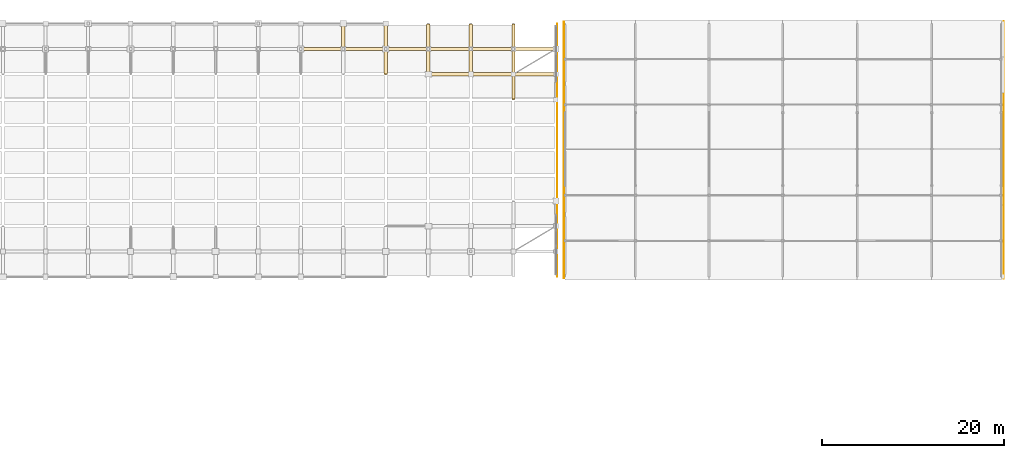
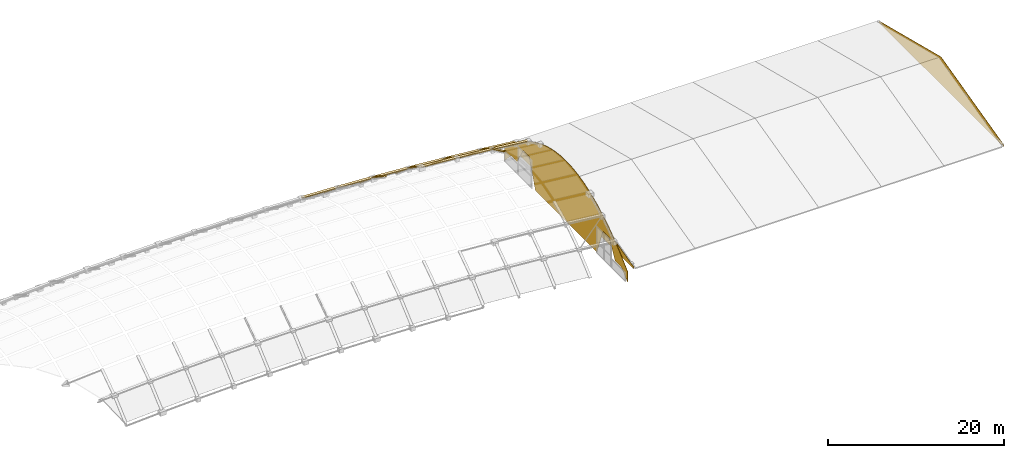
# One storey, part 65 of 65: 22 coverings.
"""IFC4 building model written with IfcOpenShell, lengths in metres."""

from ifc_helpers import new_model, si_unit, direction, frame, origin, place, context, subcontext, project, spatial, polyline, outline, extrude, material, layer, layer_set, type_object, element, save


model = new_model("IFC4")

# Units and contexts
model_context = context("Model", 3, precision=1e-05, world=origin(), true_north=direction((0.0, 1.0)))
body_context = subcontext(model_context, "Body", "Model", "MODEL_VIEW")
ifc_project = project(units=[si_unit("LENGTHUNIT", "METRE"), si_unit("AREAUNIT", "SQUARE_METRE"), si_unit("VOLUMEUNIT", "CUBIC_METRE"), si_unit("PLANEANGLEUNIT", "RADIAN"), si_unit("MASSUNIT", "GRAM", prefix="KILO")], contexts=[model_context])

# Site, building, storey
site_placement = place(None, origin())
site = spatial("IfcSite", under=ifc_project, at=site_placement, CompositionType="ELEMENT")
building_placement = place(site_placement, origin())
building = spatial("IfcBuilding", under=site, at=building_placement, Name="Quillay Park Conservatory", CompositionType="ELEMENT")
storey_placement = place(building_placement, frame((0.0, 0.0, 14.10009765625)))
storey = spatial("IfcBuildingStorey", under=building, at=storey_placement, Name="L03", CompositionType="ELEMENT", Elevation=14.10009765625)

# Coverings
ifc_material_1 = material(Name="Glass-Fibre Reinforced Concrete (GRC) Cladding", Category="concrete")
ifc_layer_1 = layer(ifc_material_1, 0.044921875)
ifc_layer_set_1 = layer_set([ifc_layer_1], Name="GRC SPANDREL CLADDING 45 (Glass-Fibre Reinforced Concrete (GRC) Cladding)")
covering_type_1 = type_object("IfcCoveringType", Name="GRC SPANDREL CLADDING 45", PredefinedType="CLADDING", material=ifc_layer_set_1)
covering_1_placement = place(storey_placement, frame((164.14990234375, 85.35009765625, -1.5), z_axis=(1.0, 0.0, 0.0), x_axis=(0.0, 1.0, 0.0)))
element("IfcCovering", 1, at=covering_1_placement, inside=storey, type_object=covering_type_1, Name="L03 Auditorium East Gable Cladding Fascia", PredefinedType="CLADDING", context=body_context, shape_type="SweptSolid", body=[
    extrude(outline(polyline([(0.0, 0.0), (28.2998046875, 0.0), (28.2998046875, 0.22998046875), (14.25, 3.77978515625), (0.0, 0.22998046875), (0.0, 0.0)])), origin(), (0.0, 0.0, -1.0), 0.044921875),
])
covering_2_placement = place(storey_placement, frame((114.97998046875, 85.550048828125, -1.714111328125), z_axis=(-1.0, 0.0, 0.0), x_axis=(0.0, 0.733796308665, 0.679369544056)))
element("IfcCovering", 2, at=covering_2_placement, inside=storey, type_object=covering_type_1, Name="L03 Conservatory East Arch Tympanum Spandrel Cladding", PredefinedType="CLADDING", context=body_context, shape_type="SweptSolid", body=[
    extrude(outline(polyline([(0.0, 0.0), (1.8974393410467205, 0.0), (3.704829064012981, 0.09762318394960379), (5.421990019409362, 0.29270369014371944), (7.046268419954397, 0.588107910413068), (8.580138903440133, 0.9808035912218367), (10.021305981563941, 1.4739888478109302), (11.37224429211787, 2.064631426644536), (12.630120898331032, 2.755431857848282), (13.797947886463735, 3.543855473001633), (14.872892319745091, 4.432602802230217), (15.857428835967148, 5.418641591998219), (16.749261946827275, 6.505169957546547), (17.550866290117526, 7.689155645339388), (18.262062716348478, 8.970432793671648), (18.880555737217502, 10.352199517784232), (19.40616620323518, 11.83428995597205), (19.84136875219356, 13.41367185469929), (20.186521683071476, 15.09067693737613), (20.43879205909805, 16.868005734128207), (20.598000730783852, 18.745492383250422), (19.426519507721245, 20.010825227024295), (19.4077957002481, 17.98159896036329), (18.385927012596085, 17.035523794520287), (18.996137503046306, 14.32661765278391), (17.97444796488371, 13.380708348645998), (14.317534368440008, 15.28078112121947), (13.295665680787993, 14.334705955376467), (12.273976142625397, 13.388796651238557), (11.252107454973382, 12.442721485395555), (10.230238767321367, 11.496646319552553), (9.208549229158772, 10.550737015414644), (8.186680541506757, 9.604661849571642), (7.164811853854742, 8.658586683728638), (6.143122315692146, 7.712677379590728), (5.121253628040131, 6.766602213747726), (4.099384940388116, 5.820527047904724), (5.580050946943854, 2.1717893968863873), (4.558182259291839, 1.2257142310433855), (1.8750427334414526, 2.074000351231692), (0.8531740457894378, 1.12792518538869), (-1.0096001988931194, 1.0904829420998976), (0.0, 0.0)])), origin(), (0.0, 0.0, -1.0), 0.044921875),
])
covering_3_placement = place(storey_placement, frame((115.719970703125, 85.39990234375, -1.5), z_axis=(-1.0, 0.0, 0.0), x_axis=(0.0, 0.0, 1.0)))
element("IfcCovering", 3, at=covering_3_placement, inside=storey, type_object=covering_type_1, Name="L03 Auditorium West Gable Cladding Fascia", PredefinedType="CLADDING", context=body_context, shape_type="SweptSolid", body=[
    extrude(outline(polyline([(0.0, 0.0), (0.219970703125, 0.0), (3.77978515625, 14.2001953125), (0.219970703125, 28.2001953125), (0.0, 28.2001953125), (0.0, 0.0)])), origin(), (0.0, 0.0, -1.0), 0.044921875),
])
ifc_material_2 = material(Name="Thermally Broken Anodised Aluminium 6063-T6", Category="aluminium")
ifc_layer_2 = layer(ifc_material_2, 0.090087890625)
ifc_layer_set_2 = layer_set([ifc_layer_2], Name="GRIDSHELL GLAZING CAP BAR 90 (Thermally Broken Anodised Aluminium 6063-T6)")
covering_type_2 = type_object("IfcCoveringType", Name="GRIDSHELL GLAZING CAP BAR 90", PredefinedType="CLADDING", material=ifc_layer_set_2)
covering_4_placement = place(storey_placement, frame((91.2861328125, 110.6650390625, 3.011962890625), z_axis=(0.0, 0.652582474845, 0.757717700417), x_axis=(1.0, 0.0, 0.0)))
element("IfcCovering", 4, at=covering_4_placement, inside=storey, type_object=covering_type_2, Name="Gridshell Transverse Glazing Cap Bar 13-09", PredefinedType="CLADDING", context=body_context, shape_type="SweptSolid", body=[
    extrude(outline(polyline([(0.0, 0.0), (0.349853515625, 0.0), (0.349853515625, 3.543613396220125), (0.0, 3.543613396220125), (0.0, 0.0)])), origin(), (0.0, 0.0, -1.0), 0.1201171875),
])
covering_5_placement = place(storey_placement, frame((95.9638671875, 107.8798828125, 4.621337890625), z_axis=(0.0, 0.556164150236, 0.83107246254), x_axis=(1.0, 0.0, 0.0)))
element("IfcCovering", 5, at=covering_5_placement, inside=storey, type_object=covering_type_2, Name="Gridshell Transverse Glazing Cap Bar 14-08", PredefinedType="CLADDING", context=body_context, shape_type="SweptSolid", body=[
    extrude(outline(polyline([(0.0, 0.0), (0.35009765625, 0.0), (0.35009765625, 3.230835715027263), (0.0, 3.230835715027263), (0.0, 0.0)])), origin(), (0.0, 0.0, -1.0), 0.1201171875),
])
covering_6_placement = place(storey_placement, frame((95.9638671875, 110.6650390625, 2.750244140625), z_axis=(0.0, 0.652582474845, 0.757717700417), x_axis=(1.0, 0.0, 0.0)))
element("IfcCovering", 6, at=covering_6_placement, inside=storey, type_object=covering_type_2, Name="Gridshell Transverse Glazing Cap Bar 14-09", PredefinedType="CLADDING", context=body_context, shape_type="SweptSolid", body=[
    extrude(outline(polyline([(0.0, 0.0), (0.35009765625, 0.0), (0.35009765625, 3.543613396220125), (0.0, 3.543613396220125), (0.0, 0.0)])), origin(), (0.0, 0.0, -1.0), 0.1201171875),
])
covering_7_placement = place(storey_placement, frame((100.6416015625, 107.8798828125, 4.301025390625), z_axis=(0.0, 0.556164150236, 0.83107246254), x_axis=(1.0, 0.0, 0.0)))
element("IfcCovering", 7, at=covering_7_placement, inside=storey, type_object=covering_type_2, Name="Gridshell Transverse Glazing Cap Bar 15-08", PredefinedType="CLADDING", context=body_context, shape_type="SweptSolid", body=[
    extrude(outline(polyline([(0.0, 0.0), (0.35009765625, 0.0), (0.35009765625, 3.230835715027263), (0.0, 3.230835715027263), (0.0, 0.0)])), origin(), (0.0, 0.0, -1.0), 0.1201171875),
])
covering_8_placement = place(storey_placement, frame((100.6416015625, 110.6650390625, 2.429931640625), z_axis=(0.0, 0.652582474845, 0.757717700417), x_axis=(1.0, 0.0, 0.0)))
element("IfcCovering", 8, at=covering_8_placement, inside=storey, type_object=covering_type_2, Name="Gridshell Transverse Glazing Cap Bar 15-09", PredefinedType="CLADDING", context=body_context, shape_type="SweptSolid", body=[
    extrude(outline(polyline([(0.0, 0.0), (0.35009765625, 0.0), (0.35009765625, 3.543613396220125), (0.0, 3.543613396220125), (0.0, 0.0)])), origin(), (0.0, 0.0, -1.0), 0.1201171875),
])
covering_9_placement = place(storey_placement, frame((105.3193359375, 107.8798828125, 3.922119140625), z_axis=(0.0, 0.556164150236, 0.83107246254), x_axis=(1.0, 0.0, 0.0)))
element("IfcCovering", 9, at=covering_9_placement, inside=storey, type_object=covering_type_2, Name="Gridshell Transverse Glazing Cap Bar 16-08", PredefinedType="CLADDING", context=body_context, shape_type="SweptSolid", body=[
    extrude(outline(polyline([(0.0, 0.0), (0.35009765625, 0.0), (0.35009765625, 3.230835715027263), (0.0, 3.230835715027263), (0.0, 0.0)])), origin(), (0.0, 0.0, -1.0), 0.1201171875),
])
covering_10_placement = place(storey_placement, frame((105.3193359375, 110.6650390625, 2.051025390625), z_axis=(0.0, 0.652582474845, 0.757717700417), x_axis=(1.0, 0.0, 0.0)))
element("IfcCovering", 10, at=covering_10_placement, inside=storey, type_object=covering_type_2, Name="Gridshell Transverse Glazing Cap Bar 16-09", PredefinedType="CLADDING", context=body_context, shape_type="SweptSolid", body=[
    extrude(outline(polyline([(0.0, 0.0), (0.35009765625, 0.0), (0.35009765625, 3.543613396220125), (0.0, 3.543613396220125), (0.0, 0.0)])), origin(), (0.0, 0.0, -1.0), 0.1201171875),
])
covering_11_placement = place(storey_placement, frame((109.997314453125, 105.094970703125, 4.816650390625), z_axis=(0.0, 0.429589332762, 0.903024365772), x_axis=(1.0, 0.0, 0.0)))
element("IfcCovering", 11, at=covering_11_placement, inside=storey, type_object=covering_type_2, Name="Gridshell Transverse Glazing Cap Bar 17-07", PredefinedType="CLADDING", context=body_context, shape_type="SweptSolid", body=[
    extrude(outline(polyline([(0.0, 0.0), (0.349853515625, 0.0), (0.349853515625, 2.973406582950739), (0.0, 2.973406582950739), (0.0, 0.0)])), origin(), (0.0, 0.0, -1.0), 0.1201171875),
])
covering_12_placement = place(storey_placement, frame((109.997314453125, 107.8798828125, 3.484619140625), z_axis=(0.0, 0.556164150236, 0.83107246254), x_axis=(1.0, 0.0, 0.0)))
element("IfcCovering", 12, at=covering_12_placement, inside=storey, type_object=covering_type_2, Name="Gridshell Transverse Glazing Cap Bar 17-08", PredefinedType="CLADDING", context=body_context, shape_type="SweptSolid", body=[
    extrude(outline(polyline([(0.0, 0.0), (0.349853515625, 0.0), (0.349853515625, 3.230835715027263), (0.0, 3.230835715027263), (0.0, 0.0)])), origin(), (0.0, 0.0, -1.0), 0.1201171875),
])
covering_13_placement = place(storey_placement, frame((109.997314453125, 110.6650390625, 1.613525390625), z_axis=(0.0, 0.652582474845, 0.757717700417), x_axis=(1.0, 0.0, 0.0)))
element("IfcCovering", 13, at=covering_13_placement, inside=storey, type_object=covering_type_2, Name="Gridshell Transverse Glazing Cap Bar 17-09", PredefinedType="CLADDING", context=body_context, shape_type="SweptSolid", body=[
    extrude(outline(polyline([(0.0, 0.0), (0.349853515625, 0.0), (0.349853515625, 3.543613396220125), (0.0, 3.543613396220125), (0.0, 0.0)])), origin(), (0.0, 0.0, -1.0), 0.1201171875),
])
covering_14_placement = place(storey_placement, frame((100.86669921875, 107.655029296875, 4.324462890625), z_axis=(0.080801595311, 0.0, 0.996730205319), x_axis=(0.996730205319, 0.0, -0.080801595311)))
element("IfcCovering", 14, at=covering_14_placement, inside=storey, type_object=covering_type_2, Name="Gridshell Longitudinal Glazing Cap Bar 15-08", PredefinedType="CLADDING", context=body_context, shape_type="SweptSolid", body=[
    extrude(outline(polyline([(0.0, 0.0), (4.592653753565289, 0.0), (4.592653753565289, 0.349853515625), (0.0, 0.349853515625), (0.0, 0.0)])), origin(), (0.0, 0.0, -1.0), 0.1201171875),
])
covering_15_placement = place(storey_placement, frame((105.54443359375, 107.655029296875, 3.945556640625), z_axis=(0.093450911608, 0.0, 0.995623888383), x_axis=(0.995623888383, 0.0, -0.093450911608)))
element("IfcCovering", 15, at=covering_15_placement, inside=storey, type_object=covering_type_2, Name="Gridshell Longitudinal Glazing Cap Bar 16-08", PredefinedType="CLADDING", context=body_context, shape_type="SweptSolid", body=[
    extrude(outline(polyline([(0.0, 0.0), (4.5980022303483326, 0.0), (4.5980022303483326, 0.34985351562499994), (0.0, 0.34985351562499994), (0.0, 0.0)])), origin(), (0.0, 0.0, -1.0), 0.1201171875),
])
covering_16_placement = place(storey_placement, frame((110.22216796875, 107.655029296875, 3.508056640625), z_axis=(0.105220344611, 0.0, 0.994448932364), x_axis=(0.994448932364, 0.0, -0.105220344611)))
element("IfcCovering", 16, at=covering_16_placement, inside=storey, type_object=covering_type_2, Name="Gridshell Longitudinal Glazing Cap Bar 17-08", PredefinedType="CLADDING", context=body_context, shape_type="SweptSolid", body=[
    extrude(outline(polyline([(0.0, 0.0), (4.603434837516112, 0.0), (4.603434837516112, 0.349853515625), (0.0, 0.349853515625), (0.0, 0.0)])), origin(), (0.0, 0.0, -1.0), 0.1201171875),
])
covering_17_placement = place(storey_placement, frame((86.833251953125, 110.43994140625, 3.254150390625), z_axis=(0.043476530855, 0.0, 0.999054448599), x_axis=(0.999054448599, 0.0, -0.043476530855)))
element("IfcCovering", 17, at=covering_17_placement, inside=storey, type_object=covering_type_2, Name="Gridshell Longitudinal Glazing Cap Bar 12-09", PredefinedType="CLADDING", context=body_context, shape_type="SweptSolid", body=[
    extrude(outline(polyline([(0.0, 0.0), (4.582213577844616, 0.0), (4.582213577844616, 0.35009765625000006), (0.0, 0.35009765625000006), (0.0, 0.0)])), origin(), (0.0, 0.0, -1.0), 0.1201171875),
])
covering_18_placement = place(storey_placement, frame((91.510986328125, 110.43994140625, 3.051025390625), z_axis=(0.056227900695, 0.0, 0.998417960167), x_axis=(0.998417960167, 0.0, -0.056227900695)))
element("IfcCovering", 18, at=covering_18_placement, inside=storey, type_object=covering_type_2, Name="Gridshell Longitudinal Glazing Cap Bar 13-09", PredefinedType="CLADDING", context=body_context, shape_type="SweptSolid", body=[
    extrude(outline(polyline([(0.0, 0.0), (4.585134725151295, 0.0), (4.585134725151295, 0.35009765625), (0.0, 0.35009765625), (0.0, 0.0)])), origin(), (0.0, 0.0, -1.0), 0.1201171875),
])
covering_19_placement = place(storey_placement, frame((96.18896484375, 110.43994140625, 2.785400390625), z_axis=(0.068108147653, 0.0, 0.99767794414), x_axis=(0.99767794414, 0.0, -0.068108147653)))
element("IfcCovering", 19, at=covering_19_placement, inside=storey, type_object=covering_type_2, Name="Gridshell Longitudinal Glazing Cap Bar 14-09", PredefinedType="CLADDING", context=body_context, shape_type="SweptSolid", body=[
    extrude(outline(polyline([(0.0, 0.0), (4.588290986723518, 0.0), (4.588290986723518, 0.35009765625), (0.0, 0.35009765625), (0.0, 0.0)])), origin(), (0.0, 0.0, -1.0), 0.1201171875),
])
covering_20_placement = place(storey_placement, frame((100.86669921875, 110.43994140625, 2.465087890625), z_axis=(0.080801595311, 0.0, 0.996730205319), x_axis=(0.996730205319, 0.0, -0.080801595311)))
element("IfcCovering", 20, at=covering_20_placement, inside=storey, type_object=covering_type_2, Name="Gridshell Longitudinal Glazing Cap Bar 15-09", PredefinedType="CLADDING", context=body_context, shape_type="SweptSolid", body=[
    extrude(outline(polyline([(0.0, 0.0), (4.592653753565289, 0.0), (4.592653753565289, 0.35009765625), (0.0, 0.35009765625), (0.0, 0.0)])), origin(), (0.0, 0.0, -1.0), 0.1201171875),
])
covering_21_placement = place(storey_placement, frame((105.54443359375, 110.43994140625, 2.086181640625), z_axis=(0.093450911608, 0.0, 0.995623888383), x_axis=(0.995623888383, 0.0, -0.093450911608)))
element("IfcCovering", 21, at=covering_21_placement, inside=storey, type_object=covering_type_2, Name="Gridshell Longitudinal Glazing Cap Bar 16-09", PredefinedType="CLADDING", context=body_context, shape_type="SweptSolid", body=[
    extrude(outline(polyline([(0.0, 0.0), (4.5980022303483326, 0.0), (4.5980022303483326, 0.35009765624999994), (0.0, 0.35009765624999994), (0.0, 0.0)])), origin(), (0.0, 0.0, -1.0), 0.1201171875),
])
covering_22_placement = place(storey_placement, frame((110.22216796875, 110.43994140625, 1.648681640625), z_axis=(0.105220344611, 0.0, 0.994448932364), x_axis=(0.994448932364, 0.0, -0.105220344611)))
element("IfcCovering", 22, at=covering_22_placement, inside=storey, type_object=covering_type_2, Name="Gridshell Longitudinal Glazing Cap Bar 17-09", PredefinedType="CLADDING", context=body_context, shape_type="SweptSolid", body=[
    extrude(outline(polyline([(0.0, 0.0), (4.603434837516112, 0.0), (4.603434837516112, 0.35009765625), (0.0, 0.35009765625), (0.0, 0.0)])), origin(), (0.0, 0.0, -1.0), 0.1201171875),
])

save(model, "model.ifc")
